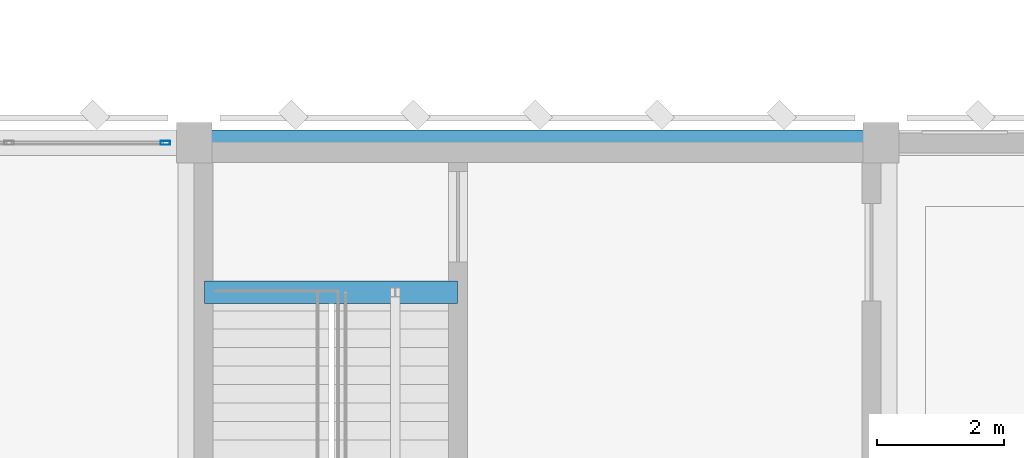
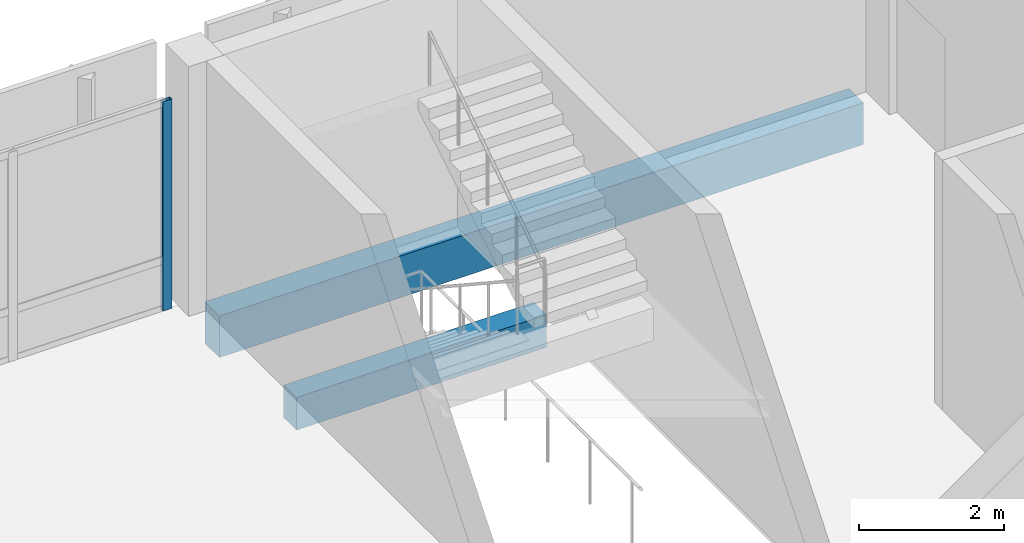
# One storey, part 53 of 158: 2 beams, 1 member, 1 element without a shape of its own.
"""IFC4 building model written with IfcOpenShell, lengths in metres."""

from ifc_helpers import new_model, si_unit, direction, frame, origin, origin_2d, place, context, subcontext, project, spatial, rectangle, hollow_rectangle, extrude, material, material_profile, profile_set, type_object, element, aggregate, save


model = new_model("IFC4")

# Units and contexts
model_context = context("Model", 3, precision=1e-05, world=origin(), true_north=direction((0.0, 1.0)))
body_context = subcontext(model_context, "Body", "Model", "MODEL_VIEW")
ifc_project = project(units=[si_unit("LENGTHUNIT", "METRE"), si_unit("AREAUNIT", "SQUARE_METRE"), si_unit("VOLUMEUNIT", "CUBIC_METRE"), si_unit("PLANEANGLEUNIT", "RADIAN"), si_unit("MASSUNIT", "GRAM", prefix="KILO")], contexts=[model_context])

# Site, building, storey
site_placement = place(None, origin())
site = spatial("IfcSite", under=ifc_project, at=site_placement, CompositionType="ELEMENT")
building_placement = place(site_placement, origin())
building = spatial("IfcBuilding", under=site, at=building_placement, Name="Lusvemor Sports Hall", CompositionType="ELEMENT")
storey_placement = place(building_placement, frame((0.0, 0.0, 10.800048828125)))
storey = spatial("IfcBuildingStorey", under=building, at=storey_placement, Name="L02", CompositionType="ELEMENT", Elevation=10.800048828125)

# Beam
ifc_material_1 = material(Name="Concrete C40/50", Category="concrete")
ifc_material_profile_1 = material_profile(ifc_material_1, rectangle(XDim=0.35009765625, YDim=0.550048828125, at=origin_2d()), Name="RC350x550")
ifc_profile_set_1 = profile_set([ifc_material_profile_1], Name="Concrete C40/50")
beam_type_1 = type_object("IfcBeamType", Name="BEAM_RC_550", PredefinedType="BEAM", material=ifc_profile_set_1)
beam_1_placement = place(storey_placement, frame((54.159912109375, 112.85009765625, -0.455078125), z_axis=(1.0, 0.0, 0.0), x_axis=(0.0, 1.0, 0.0)))
element("IfcBeam", 1, at=beam_1_placement, inside=storey, type_object=beam_type_1, Name="Stair STR-C2-L01 Top-Landing Beam", PredefinedType="BEAM", context=body_context, shape_type="SweptSolid", body=[
    extrude(rectangle(XDim=0.35009765625, YDim=0.550048828125, at=origin_2d()), origin(), (0.0, 0.0, 1.0), 3.97998046875),
])

# Curtain wall, member
ifc_material_2 = material(Name="Thermally broken bronze-anodized aluminium", Category="aluminium")
curtain_wall_type = type_object("IfcCurtainWallType", Name="CW_WING_B", PredefinedType="NOTDEFINED", material=ifc_material_2)
curtain_wall_placement = place(storey_placement, origin())
curtain_wall = element("IfcCurtainWall", 2, at=curtain_wall_placement, inside=storey, type_object=curtain_wall_type, Name="Curtain Wall CW-L02-N-1-4", PredefinedType="NOTDEFINED")
ifc_material_3 = material(Name="Thermally broken bronze-anodized aluminium", Category="aluminium")
ifc_material_profile_2 = material_profile(ifc_material_3, hollow_rectangle(XDim=0.06494140625, YDim=0.14990234375, WallThickness=0.00390625, InnerFilletRadius=0.00390625, OuterFilletRadius=0.008056640625, at=origin_2d()), Name="CWMUL150x65x4")
ifc_profile_set_2 = profile_set([ifc_material_profile_2], Name="Thermally broken bronze-anodized aluminium")
member_type = type_object("IfcMemberType", Name="CW_MUL_B", PredefinedType="MULLION", material=ifc_profile_set_2)
member_placement = place(storey_placement, frame((53.547607421875, 115.199951171875, 0.0), z_axis=(0.0, 0.0, 1.0), x_axis=(0.0, 1.0, 0.0)))
member = element("IfcMember", 3, at=member_placement, type_object=member_type, Name="CW02 mullion 5", PredefinedType="MULLION", context=body_context, shape_type="SweptSolid", body=[
    extrude(hollow_rectangle(XDim=0.06494140625, YDim=0.14990234375, WallThickness=0.00390625, InnerFilletRadius=0.00390625, OuterFilletRadius=0.008056640625, at=origin_2d()), origin(), (0.0, 0.0, 1.0), 3.52001953125),
])
aggregate(curtain_wall, [member])

# Beam
ifc_material_4 = material(Name="Concrete C40/50", Category="concrete")
ifc_material_profile_3 = material_profile(ifc_material_4, rectangle(XDim=0.39990234375, YDim=0.699951171875, at=origin_2d()), Name="RC400x700")
ifc_profile_set_3 = profile_set([ifc_material_profile_3], Name="Concrete C40/50")
beam_type_2 = type_object("IfcBeamType", Name="SPAND_EXT_700", PredefinedType="SPANDREL", material=ifc_profile_set_3)
beam_2_placement = place(storey_placement, frame((54.27587890625, 115.199951171875, -0.610107421875), z_axis=(1.0, 0.0, 0.0), x_axis=(0.0, 1.0, 0.0)))
element("IfcBeam", 4, at=beam_2_placement, inside=storey, type_object=beam_type_2, Name="Beam L02 Q:6-7", PredefinedType="SPANDREL", context=body_context, shape_type="SweptSolid", body=[
    extrude(rectangle(XDim=0.39990234375, YDim=0.699951171875, at=origin_2d()), origin(), (0.0, 0.0, 1.0), 10.248046875),
])

save(model, "model.ifc")
